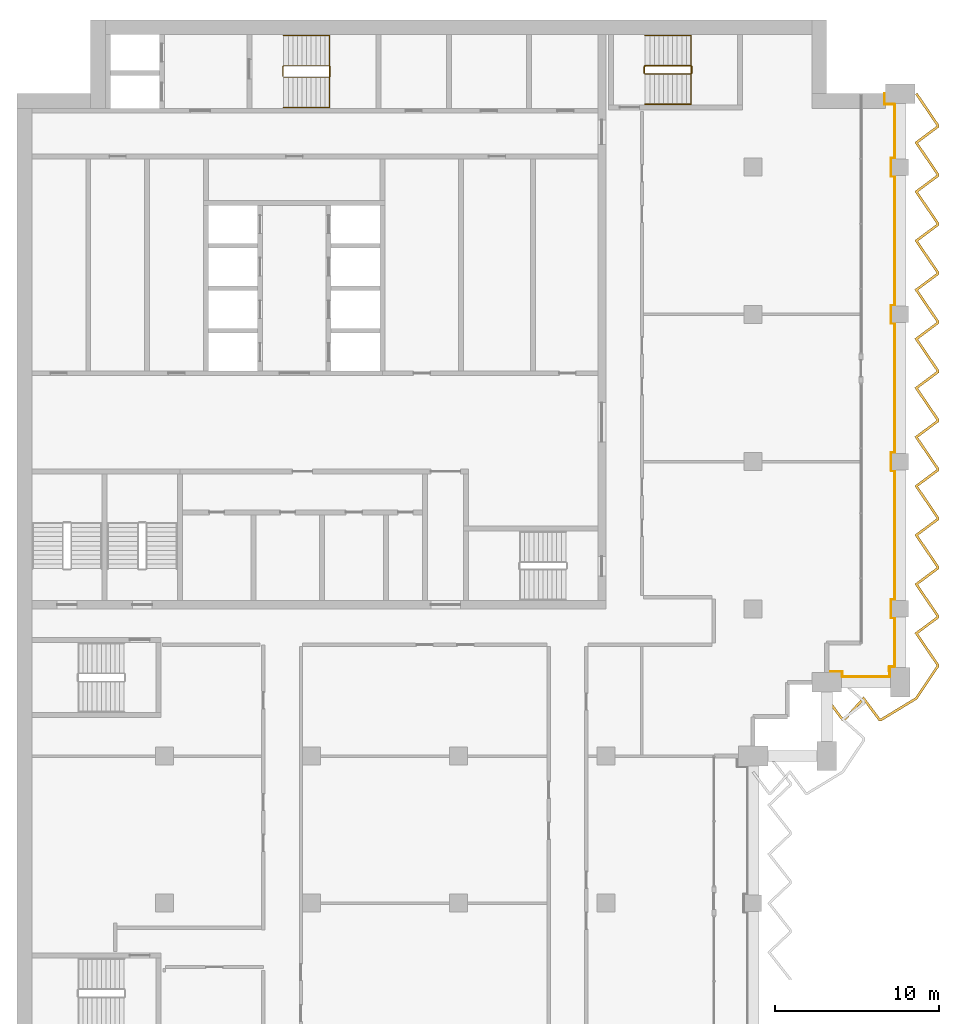
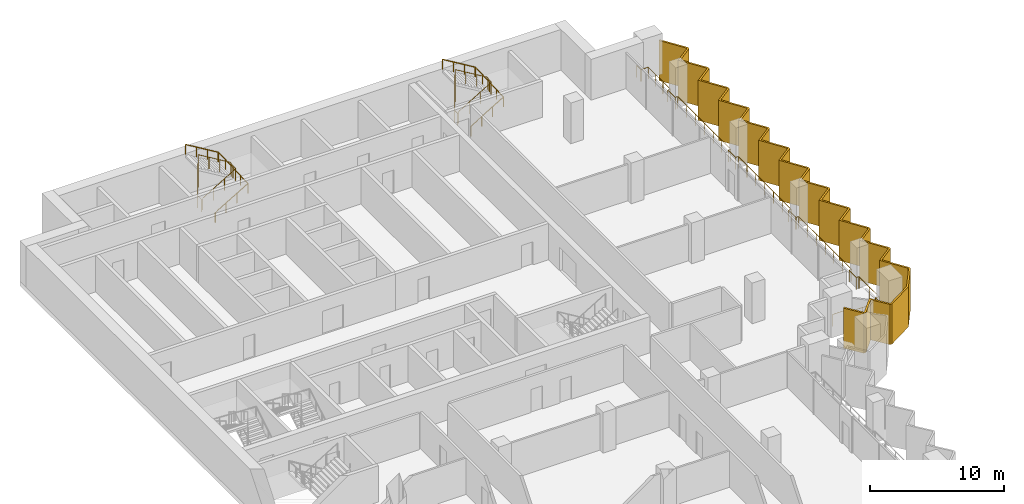
# One storey, part 17 of 17: 5 railings, 1 shading device.
"""IFC4 building model written with IfcOpenShell, lengths in metres."""

from ifc_helpers import new_model, si_unit, direction, frame, origin, origin_2d, place, context, subcontext, project, spatial, polyline, circle, outline, extrude, material, layer, layer_set, type_object, element, save


model = new_model("IFC4")

# Units and contexts
model_context = context("Model", 3, precision=1e-05, world=origin(), true_north=direction((0.0, 1.0)))
body_context = subcontext(model_context, "Body", "Model", "MODEL_VIEW")
ifc_project = project(units=[si_unit("LENGTHUNIT", "METRE"), si_unit("AREAUNIT", "SQUARE_METRE"), si_unit("VOLUMEUNIT", "CUBIC_METRE"), si_unit("PLANEANGLEUNIT", "RADIAN"), si_unit("MASSUNIT", "GRAM", prefix="KILO")], contexts=[model_context])

# Site, building, storey
site_placement = place(None, origin())
site = spatial("IfcSite", under=ifc_project, at=site_placement, CompositionType="ELEMENT")
building_placement = place(site_placement, origin())
building = spatial("IfcBuilding", under=site, at=building_placement, Name="Hunhe Ridgeline Campus", CompositionType="ELEMENT")
storey_placement = place(building_placement, frame((0.0, 0.0, 190.199951171875)))
storey = spatial("IfcBuildingStorey", under=building, at=storey_placement, Name="L48", CompositionType="ELEMENT", Elevation=190.199951171875)

# Railing
ifc_material_1 = material(Name="Steel Q355", Category="steel")
railing_type_1 = type_object("IfcRailingType", Name="Loggia guard 1100 Steel Q355", PredefinedType="GUARDRAIL", material=ifc_material_1)
railing_1_placement = place(storey_placement, frame((49.5, 59.169921875, 0.0)))
element("IfcRailing", 1, at=railing_1_placement, inside=storey, type_object=railing_type_1, Name="Loggia guard 2", PredefinedType="GUARDRAIL", context=body_context, shape_type="SweptSolid", body=[
    extrude(circle(Radius=0.02392578125, at=origin_2d()), frame((0.0, 0.0, 1.076171875), z_axis=(1.0, 0.0, 0.0), x_axis=(0.0, 1.0, 0.0)), (0.0, 0.0, 1.0), 0.949951171875),
    extrude(circle(Radius=0.02392578125, at=origin_2d()), frame((0.949951171875, 0.0, 1.076171875), z_axis=(0.0, -1.0, 0.0), x_axis=(1.0, 0.0, 0.0)), (0.0, 0.0, 1.0), 0.31982421875),
    extrude(circle(Radius=0.02392578125, at=origin_2d()), frame((0.949951171875, -0.31982421875, 1.076171875), z_axis=(1.0, 0.0, 0.0), x_axis=(0.0, 1.0, 0.0)), (0.0, 0.0, 1.0), 2.900146484375),
    extrude(circle(Radius=0.02392578125, at=origin_2d()), frame((3.85009765625, -0.31982421875, 1.076171875), z_axis=(0.0, 1.0, 0.0), x_axis=(-1.0, 0.0, 0.0)), (0.0, 0.0, 1.0), 0.619873046875),
    extrude(circle(Radius=0.02392578125, at=origin_2d()), frame((3.85009765625, 0.300048828125, 1.076171875), z_axis=(-0.066572895244, -0.99778156408, 0.0), x_axis=(0.99778156408, -0.066572895244, 0.0)), (0.0, 0.0, 1.0), 0.30078125),
    extrude(circle(Radius=0.02392578125, at=origin_2d()), frame((3.830078125, 0.0, 1.076171875), z_axis=(0.0, 1.0, 0.0), x_axis=(-1.0, 0.0, 0.0)), (0.0, 0.0, 1.0), 0.280029296875),
    extrude(circle(Radius=0.02392578125, at=origin_2d()), frame((3.830078125, 0.280029296875, 1.076171875), z_axis=(1.0, 0.0, 0.0), x_axis=(0.0, 1.0, 0.0)), (0.0, 0.0, 1.0), 0.31982421875),
    extrude(circle(Radius=0.02392578125, at=origin_2d()), frame((4.14990234375, 0.280029296875, 1.076171875), z_axis=(0.0, 1.0, 0.0), x_axis=(-1.0, 0.0, 0.0)), (0.0, 0.0, 1.0), 3.0),
    extrude(circle(Radius=0.02392578125, at=origin_2d()), frame((4.14990234375, 3.280029296875, 1.076171875), z_axis=(-1.0, 0.0, 0.0), x_axis=(0.0, -1.0, 0.0)), (0.0, 0.0, 1.0), 0.219970703125),
    extrude(circle(Radius=0.02392578125, at=origin_2d()), frame((3.929931640625, 3.280029296875, 1.076171875), z_axis=(0.0, 1.0, 0.0), x_axis=(-1.0, 0.0, 0.0)), (0.0, 0.0, 1.0), 1.10009765625),
    extrude(circle(Radius=0.02392578125, at=origin_2d()), frame((3.929931640625, 4.380126953125, 1.076171875), z_axis=(1.0, 0.0, 0.0), x_axis=(0.0, 1.0, 0.0)), (0.0, 0.0, 1.0), 0.219970703125),
    extrude(circle(Radius=0.02392578125, at=origin_2d()), frame((4.14990234375, 4.380126953125, 1.076171875), z_axis=(0.0, 1.0, 0.0), x_axis=(-1.0, 0.0, 0.0)), (0.0, 0.0, 1.0), 7.89990234375),
    extrude(circle(Radius=0.02392578125, at=origin_2d()), frame((4.14990234375, 12.280029296875, 1.076171875), z_axis=(-1.0, 0.0, 0.0), x_axis=(0.0, -1.0, 0.0)), (0.0, 0.0, 1.0), 0.219970703125),
    extrude(circle(Radius=0.02392578125, at=origin_2d()), frame((3.929931640625, 12.280029296875, 1.076171875), z_axis=(0.0, 1.0, 0.0), x_axis=(-1.0, 0.0, 0.0)), (0.0, 0.0, 1.0), 1.10009765625),
    extrude(circle(Radius=0.02392578125, at=origin_2d()), frame((3.929931640625, 13.380126953125, 1.076171875), z_axis=(1.0, 0.0, 0.0), x_axis=(0.0, 1.0, 0.0)), (0.0, 0.0, 1.0), 0.219970703125),
    extrude(circle(Radius=0.02392578125, at=origin_2d()), frame((4.14990234375, 13.380126953125, 1.076171875), z_axis=(0.0, 1.0, 0.0), x_axis=(-1.0, 0.0, 0.0)), (0.0, 0.0, 1.0), 7.89990234375),
    extrude(circle(Radius=0.02392578125, at=origin_2d()), frame((4.14990234375, 21.280029296875, 1.076171875), z_axis=(-1.0, 0.0, 0.0), x_axis=(0.0, -1.0, 0.0)), (0.0, 0.0, 1.0), 0.219970703125),
    extrude(circle(Radius=0.02392578125, at=origin_2d()), frame((3.929931640625, 21.280029296875, 1.076171875), z_axis=(0.0, 1.0, 0.0), x_axis=(-1.0, 0.0, 0.0)), (0.0, 0.0, 1.0), 1.10009765625),
    extrude(circle(Radius=0.02392578125, at=origin_2d()), frame((3.929931640625, 22.380126953125, 1.076171875), z_axis=(1.0, 0.0, 0.0), x_axis=(0.0, 1.0, 0.0)), (0.0, 0.0, 1.0), 0.219970703125),
    extrude(circle(Radius=0.02392578125, at=origin_2d()), frame((4.14990234375, 22.380126953125, 1.076171875), z_axis=(0.0, 1.0, 0.0), x_axis=(-1.0, 0.0, 0.0)), (0.0, 0.0, 1.0), 7.89990234375),
    extrude(circle(Radius=0.02392578125, at=origin_2d()), frame((4.14990234375, 30.280029296875, 1.076171875), z_axis=(-1.0, 0.0, 0.0), x_axis=(0.0, -1.0, 0.0)), (0.0, 0.0, 1.0), 0.219970703125),
    extrude(circle(Radius=0.02392578125, at=origin_2d()), frame((3.929931640625, 30.280029296875, 1.076171875), z_axis=(0.0, 1.0, 0.0), x_axis=(-1.0, 0.0, 0.0)), (0.0, 0.0, 1.0), 1.10009765625),
    extrude(circle(Radius=0.02392578125, at=origin_2d()), frame((3.929931640625, 31.380126953125, 1.076171875), z_axis=(1.0, 0.0, 0.0), x_axis=(0.0, 1.0, 0.0)), (0.0, 0.0, 1.0), 0.219970703125),
    extrude(circle(Radius=0.02392578125, at=origin_2d()), frame((4.14990234375, 31.380126953125, 1.076171875), z_axis=(0.0, 1.0, 0.0), x_axis=(-1.0, 0.0, 0.0)), (0.0, 0.0, 1.0), 3.300048828125),
    extrude(circle(Radius=0.02392578125, at=origin_2d()), frame((4.14990234375, 34.68017578125, 1.076171875), z_axis=(-1.0, 0.0, 0.0), x_axis=(0.0, -1.0, 0.0)), (0.0, 0.0, 1.0), 0.619873046875),
    extrude(circle(Radius=0.02392578125, at=origin_2d()), frame((3.530029296875, 34.68017578125, 1.076171875), z_axis=(0.0, 1.0, 0.0), x_axis=(-1.0, 0.0, 0.0)), (0.0, 0.0, 1.0), 0.64990234375),
    extrude(circle(Radius=0.02099609375, at=origin_2d()), origin(), (0.0, 0.0, 1.0), 1.052001953125),
    extrude(circle(Radius=0.02099609375, at=origin_2d()), frame((0.949951171875, 0.0, 0.0)), (0.0, 0.0, 1.0), 1.052001953125),
    extrude(circle(Radius=0.02099609375, at=origin_2d()), frame((0.949951171875, -0.31982421875, 0.0)), (0.0, 0.0, 1.0), 1.052001953125),
    extrude(circle(Radius=0.02099609375, at=origin_2d()), frame((2.39990234375, -0.31982421875, 0.0)), (0.0, 0.0, 1.0), 1.052001953125),
    extrude(circle(Radius=0.02099609375, at=origin_2d()), frame((3.85009765625, -0.31982421875, 0.0)), (0.0, 0.0, 1.0), 1.052001953125),
    extrude(circle(Radius=0.02099609375, at=origin_2d()), frame((3.85009765625, 0.300048828125, 0.0)), (0.0, 0.0, 1.0), 1.052001953125),
    extrude(circle(Radius=0.02099609375, at=origin_2d()), frame((3.830078125, 0.0, 0.0)), (0.0, 0.0, 1.0), 1.052001953125),
    extrude(circle(Radius=0.02099609375, at=origin_2d()), frame((3.830078125, 0.280029296875, 0.0)), (0.0, 0.0, 1.0), 1.052001953125),
    extrude(circle(Radius=0.02099609375, at=origin_2d()), frame((4.14990234375, 0.280029296875, 0.0)), (0.0, 0.0, 1.0), 1.052001953125),
    extrude(circle(Radius=0.02099609375, at=origin_2d()), frame((4.14990234375, 1.780029296875, 0.0)), (0.0, 0.0, 1.0), 1.052001953125),
    extrude(circle(Radius=0.02099609375, at=origin_2d()), frame((4.14990234375, 3.280029296875, 0.0)), (0.0, 0.0, 1.0), 1.052001953125),
    extrude(circle(Radius=0.02099609375, at=origin_2d()), frame((3.929931640625, 3.280029296875, 0.0)), (0.0, 0.0, 1.0), 1.052001953125),
    extrude(circle(Radius=0.02099609375, at=origin_2d()), frame((3.929931640625, 4.380126953125, 0.0)), (0.0, 0.0, 1.0), 1.052001953125),
    extrude(circle(Radius=0.02099609375, at=origin_2d()), frame((4.14990234375, 4.380126953125, 0.0)), (0.0, 0.0, 1.0), 1.052001953125),
    extrude(circle(Radius=0.02099609375, at=origin_2d()), frame((4.14990234375, 5.69677734375, 0.0)), (0.0, 0.0, 1.0), 1.052001953125),
    extrude(circle(Radius=0.02099609375, at=origin_2d()), frame((4.14990234375, 7.013427734375, 0.0)), (0.0, 0.0, 1.0), 1.052001953125),
    extrude(circle(Radius=0.02099609375, at=origin_2d()), frame((4.14990234375, 8.330078125, 0.0)), (0.0, 0.0, 1.0), 1.052001953125),
    extrude(circle(Radius=0.02099609375, at=origin_2d()), frame((4.14990234375, 9.646728515625, 0.0)), (0.0, 0.0, 1.0), 1.052001953125),
    extrude(circle(Radius=0.02099609375, at=origin_2d()), frame((4.14990234375, 10.96337890625, 0.0)), (0.0, 0.0, 1.0), 1.052001953125),
    extrude(circle(Radius=0.02099609375, at=origin_2d()), frame((4.14990234375, 12.280029296875, 0.0)), (0.0, 0.0, 1.0), 1.052001953125),
    extrude(circle(Radius=0.02099609375, at=origin_2d()), frame((3.929931640625, 12.280029296875, 0.0)), (0.0, 0.0, 1.0), 1.052001953125),
    extrude(circle(Radius=0.02099609375, at=origin_2d()), frame((3.929931640625, 13.380126953125, 0.0)), (0.0, 0.0, 1.0), 1.052001953125),
    extrude(circle(Radius=0.02099609375, at=origin_2d()), frame((4.14990234375, 13.380126953125, 0.0)), (0.0, 0.0, 1.0), 1.052001953125),
    extrude(circle(Radius=0.02099609375, at=origin_2d()), frame((4.14990234375, 14.69677734375, 0.0)), (0.0, 0.0, 1.0), 1.052001953125),
    extrude(circle(Radius=0.02099609375, at=origin_2d()), frame((4.14990234375, 16.013427734375, 0.0)), (0.0, 0.0, 1.0), 1.052001953125),
    extrude(circle(Radius=0.02099609375, at=origin_2d()), frame((4.14990234375, 17.330078125, 0.0)), (0.0, 0.0, 1.0), 1.052001953125),
    extrude(circle(Radius=0.02099609375, at=origin_2d()), frame((4.14990234375, 18.646728515625, 0.0)), (0.0, 0.0, 1.0), 1.052001953125),
    extrude(circle(Radius=0.02099609375, at=origin_2d()), frame((4.14990234375, 19.96337890625, 0.0)), (0.0, 0.0, 1.0), 1.052001953125),
    extrude(circle(Radius=0.02099609375, at=origin_2d()), frame((4.14990234375, 21.280029296875, 0.0)), (0.0, 0.0, 1.0), 1.052001953125),
    extrude(circle(Radius=0.02099609375, at=origin_2d()), frame((3.929931640625, 21.280029296875, 0.0)), (0.0, 0.0, 1.0), 1.052001953125),
    extrude(circle(Radius=0.02099609375, at=origin_2d()), frame((3.929931640625, 22.380126953125, 0.0)), (0.0, 0.0, 1.0), 1.052001953125),
    extrude(circle(Radius=0.02099609375, at=origin_2d()), frame((4.14990234375, 22.380126953125, 0.0)), (0.0, 0.0, 1.0), 1.052001953125),
    extrude(circle(Radius=0.02099609375, at=origin_2d()), frame((4.14990234375, 23.69677734375, 0.0)), (0.0, 0.0, 1.0), 1.052001953125),
    extrude(circle(Radius=0.02099609375, at=origin_2d()), frame((4.14990234375, 25.013427734375, 0.0)), (0.0, 0.0, 1.0), 1.052001953125),
    extrude(circle(Radius=0.02099609375, at=origin_2d()), frame((4.14990234375, 26.330078125, 0.0)), (0.0, 0.0, 1.0), 1.052001953125),
    extrude(circle(Radius=0.02099609375, at=origin_2d()), frame((4.14990234375, 27.646728515625, 0.0)), (0.0, 0.0, 1.0), 1.052001953125),
    extrude(circle(Radius=0.02099609375, at=origin_2d()), frame((4.14990234375, 28.96337890625, 0.0)), (0.0, 0.0, 1.0), 1.052001953125),
    extrude(circle(Radius=0.02099609375, at=origin_2d()), frame((4.14990234375, 30.280029296875, 0.0)), (0.0, 0.0, 1.0), 1.052001953125),
    extrude(circle(Radius=0.02099609375, at=origin_2d()), frame((3.929931640625, 30.280029296875, 0.0)), (0.0, 0.0, 1.0), 1.052001953125),
    extrude(circle(Radius=0.02099609375, at=origin_2d()), frame((3.929931640625, 31.380126953125, 0.0)), (0.0, 0.0, 1.0), 1.052001953125),
    extrude(circle(Radius=0.02099609375, at=origin_2d()), frame((4.14990234375, 31.380126953125, 0.0)), (0.0, 0.0, 1.0), 1.052001953125),
    extrude(circle(Radius=0.02099609375, at=origin_2d()), frame((4.14990234375, 32.480224609375, 0.0)), (0.0, 0.0, 1.0), 1.052001953125),
    extrude(circle(Radius=0.02099609375, at=origin_2d()), frame((4.14990234375, 33.580078125, 0.0)), (0.0, 0.0, 1.0), 1.052001953125),
    extrude(circle(Radius=0.02099609375, at=origin_2d()), frame((4.14990234375, 34.68017578125, 0.0)), (0.0, 0.0, 1.0), 1.052001953125),
    extrude(circle(Radius=0.02099609375, at=origin_2d()), frame((3.530029296875, 34.68017578125, 0.0)), (0.0, 0.0, 1.0), 1.052001953125),
    extrude(circle(Radius=0.02099609375, at=origin_2d()), frame((3.530029296875, 35.330078125, 0.0)), (0.0, 0.0, 1.0), 1.052001953125),
])

# Shading device
ifc_material_2 = material(Name="Concrete C50", Category="concrete")
ifc_layer = layer(ifc_material_2, 0.14990234375)
ifc_layer_set = layer_set([ifc_layer], Name="Sawtooth concrete fin 150 Concrete C50")
shading_device_type = type_object("IfcShadingDeviceType", Name="Sawtooth concrete fin 150 Concrete C50", PredefinedType="USERDEFINED", material=ifc_layer_set)
shading_device_placement = place(storey_placement, frame((0.0, 0.0, -0.949951171875)))
element("IfcShadingDevice", 2, at=shading_device_placement, inside=storey, type_object=shading_device_type, Name="Concrete fin screen 3", ObjectType="FIN", PredefinedType="USERDEFINED", context=body_context, shape_type="SweptSolid", body=[
    extrude(outline(polyline([(49.56005859375, 57.56982421875), (49.43994140625, 57.480224609375), (50.430419921875, 56.14990234375), (50.62158203125, 56.14990234375), (51.74462890625, 57.406494140625), (52.680419921875, 56.14990234375), (52.859130859375, 56.14990234375), (55.028076171875, 57.469482421875), (56.35009765625, 59.4453125), (56.35009765625, 59.611083984375), (55.077392578125, 61.482666015625), (56.35009765625, 62.430419921875), (56.35009765625, 62.611083984375), (55.077392578125, 64.482666015625), (56.35009765625, 65.430419921875), (56.35009765625, 65.611083984375), (55.077392578125, 67.482666015625), (56.35009765625, 68.430419921875), (56.35009765625, 68.611083984375), (55.077392578125, 70.482666015625), (56.35009765625, 71.430419921875), (56.35009765625, 71.611083984375), (55.077392578125, 73.482666015625), (56.35009765625, 74.430419921875), (56.35009765625, 74.611083984375), (55.077392578125, 76.482666015625), (56.35009765625, 77.430419921875), (56.35009765625, 77.611083984375), (55.077392578125, 79.482666015625), (56.35009765625, 80.430419921875), (56.35009765625, 80.611083984375), (55.077392578125, 82.482666015625), (56.35009765625, 83.430419921875), (56.35009765625, 83.611083984375), (55.077392578125, 85.482666015625), (56.35009765625, 86.430419921875), (56.35009765625, 86.611083984375), (55.077392578125, 88.482666015625), (56.35009765625, 89.430419921875), (56.35009765625, 89.611083984375), (55.077392578125, 91.482666015625), (56.35009765625, 92.430419921875), (56.35009765625, 92.611083984375), (55.037109375, 94.542236328125), (54.9130859375, 94.457763671875), (56.199951171875, 92.56494140625), (56.199951171875, 92.505859375), (54.87255859375, 91.517333984375), (56.199951171875, 89.56494140625), (56.199951171875, 89.505859375), (54.87255859375, 88.517333984375), (56.199951171875, 86.56494140625), (56.199951171875, 86.505859375), (54.87255859375, 85.517333984375), (56.199951171875, 83.56494140625), (56.199951171875, 83.505859375), (54.87255859375, 82.517333984375), (56.199951171875, 80.56494140625), (56.199951171875, 80.505859375), (54.87255859375, 79.517333984375), (56.199951171875, 77.56494140625), (56.199951171875, 77.505859375), (54.87255859375, 76.517333984375), (56.199951171875, 74.56494140625), (56.199951171875, 74.505859375), (54.87255859375, 73.517333984375), (56.199951171875, 71.56494140625), (56.199951171875, 71.505859375), (54.87255859375, 70.517333984375), (56.199951171875, 68.56494140625), (56.199951171875, 68.505859375), (54.87255859375, 67.517333984375), (56.199951171875, 65.56494140625), (56.199951171875, 65.505859375), (54.87255859375, 64.517333984375), (56.199951171875, 62.56494140625), (56.199951171875, 62.505859375), (54.87255859375, 61.517333984375), (56.199951171875, 59.56494140625), (56.199951171875, 59.490966796875), (54.921875, 57.58056640625), (52.817138671875, 56.300048828125), (52.755859375, 56.300048828125), (51.75537109375, 57.6435546875), (50.554443359375, 56.300048828125), (50.505859375, 56.300048828125), (49.56005859375, 57.56982421875)])), origin(), (0.0, 0.0, 1.0), 3.64990234375),
])

# Railings
ifc_material_3 = material(Name="Stainless steel balustrade", Category="steel")
railing_type_2 = type_object("IfcRailingType", Name="Stair guard 1100 stainless", PredefinedType="GUARDRAIL", material=ifc_material_3)
railing_2_placement = place(storey_placement, frame((16.300048828125, 95.5, 0.168212890625)))
element("IfcRailing", 3, at=railing_2_placement, inside=storey, type_object=railing_type_2, Name="L48 stair S1 guard", PredefinedType="GUARDRAIL", context=body_context, shape_type="SweptSolid", body=[
    extrude(circle(Radius=0.02392578125, at=origin_2d()), frame((0.0, 0.0, 1.076171875), z_axis=(0.857242210791, 0.0, 0.514913383045), x_axis=(0.0, 1.0, 0.0)), (0.0, 0.0, 1.0), 3.266357421875),
    extrude(circle(Radius=0.02392578125, at=origin_2d()), frame((2.800048828125, 0.0, 2.7578125), z_axis=(0.705375805398, 0.708833529934, 0.0), x_axis=(-0.708833529934, 0.705375805398, 0.0)), (0.0, 0.0, 1.0), 0.070556640625),
    extrude(circle(Radius=0.02392578125, at=origin_2d()), frame((2.849853515625, 0.050048828125, 2.7578125), z_axis=(0.0, 1.0, 0.0), x_axis=(-1.0, 0.0, 0.0)), (0.0, 0.0, 1.0), 0.599853515625),
    extrude(circle(Radius=0.02392578125, at=origin_2d()), frame((2.849853515625, 0.64990234375, 2.7578125), z_axis=(-0.273006030465, 0.27434429532, 0.922064485248), x_axis=(-0.708833529934, -0.705375805398, 0.0)), (0.0, 0.0, 1.0), 0.182373046875),
    extrude(circle(Radius=0.02392578125, at=origin_2d()), frame((2.800048828125, 0.699951171875, 2.92626953125), z_axis=(-0.857275202839, 0.0, 0.514858452973), x_axis=(0.0, -1.0, 0.0)), (0.0, 0.0, 1.0), 3.26611328125),
    extrude(circle(Radius=0.02392578125, at=origin_2d()), frame((0.0, 0.699951171875, 4.60791015625), z_axis=(-0.013524414389, -0.013524414389, -0.999817073484), x_axis=(0.707106781187, -0.707106781187, 0.0)), (0.0, 0.0, 1.0), 3.70068359375),
    extrude(circle(Radius=0.02392578125, at=origin_2d()), frame((-0.050048828125, 0.64990234375, 0.90771484375), z_axis=(0.0, -1.0, 0.0), x_axis=(1.0, 0.0, 0.0)), (0.0, 0.0, 1.0), 0.599853515625),
    extrude(circle(Radius=0.02099609375, at=origin_2d()), origin(), (0.0, 0.0, 1.0), 1.052001953125),
    extrude(circle(Radius=0.02099609375, at=origin_2d()), frame((0.933349609375, 0.0, 0.560546875)), (0.0, 0.0, 1.0), 1.052001953125),
    extrude(circle(Radius=0.02099609375, at=origin_2d()), frame((1.86669921875, 0.0, 1.121337890625)), (0.0, 0.0, 1.0), 1.052001953125),
    extrude(circle(Radius=0.02099609375, at=origin_2d()), frame((2.800048828125, 0.0, 1.681884765625)), (0.0, 0.0, 1.0), 1.052001953125),
    extrude(circle(Radius=0.02099609375, at=origin_2d()), frame((2.849853515625, 0.050048828125, 1.681884765625)), (0.0, 0.0, 1.0), 1.052001953125),
    extrude(circle(Radius=0.02099609375, at=origin_2d()), frame((2.849853515625, 0.64990234375, 1.681884765625)), (0.0, 0.0, 1.0), 1.052001953125),
    extrude(circle(Radius=0.02099609375, at=origin_2d()), frame((2.800048828125, 0.699951171875, 1.85009765625)), (0.0, 0.0, 1.0), 1.052001953125),
    extrude(circle(Radius=0.02099609375, at=origin_2d()), frame((1.86669921875, 0.699951171875, 2.41064453125)), (0.0, 0.0, 1.0), 1.052001953125),
    extrude(circle(Radius=0.02099609375, at=origin_2d()), frame((0.933349609375, 0.699951171875, 2.97119140625)), (0.0, 0.0, 1.0), 1.052001953125),
    extrude(circle(Radius=0.02099609375, at=origin_2d()), frame((0.0, 0.699951171875, 3.53173828125)), (0.0, 0.0, 1.0), 1.052001953125),
    extrude(circle(Radius=0.02099609375, at=origin_2d()), frame((-0.012451171875, 0.6875, 2.606689453125)), (0.0, 0.0, 1.0), 1.052001953125),
    extrude(circle(Radius=0.02099609375, at=origin_2d()), frame((-0.02490234375, 0.6748046875, 1.681640625)), (0.0, 0.0, 1.0), 1.052001953125),
    extrude(circle(Radius=0.02099609375, at=origin_2d()), frame((-0.03759765625, 0.662353515625, 0.7568359375)), (0.0, 0.0, 1.0), 1.052001953125),
    extrude(circle(Radius=0.02099609375, at=origin_2d()), frame((-0.050048828125, 0.64990234375, -0.168212890625)), (0.0, 0.0, 1.0), 1.052001953125),
    extrude(circle(Radius=0.02099609375, at=origin_2d()), frame((-0.050048828125, 0.050048828125, -0.168212890625)), (0.0, 0.0, 1.0), 1.052001953125),
])
railing_3_placement = place(storey_placement, frame((38.39990234375, 95.699951171875, 0.168212890625)))
element("IfcRailing", 4, at=railing_3_placement, inside=storey, type_object=railing_type_2, Name="L48 stair E1 guard", PredefinedType="GUARDRAIL", context=body_context, shape_type="SweptSolid", body=[
    extrude(circle(Radius=0.02392578125, at=origin_2d()), frame((0.0, 0.0, 1.076171875), z_axis=(0.857242210791, 0.0, 0.514913383045), x_axis=(0.0, 1.0, 0.0)), (0.0, 0.0, 1.0), 3.266357421875),
    extrude(circle(Radius=0.02392578125, at=origin_2d()), frame((2.800048828125, 0.0, 2.7578125), z_axis=(0.707106781187, 0.707106781187, 0.0), x_axis=(-0.707106781187, 0.707106781187, 0.0)), (0.0, 0.0, 1.0), 0.07080078125),
    extrude(circle(Radius=0.02392578125, at=origin_2d()), frame((2.85009765625, 0.050048828125, 2.7578125), z_axis=(0.0, 1.0, 0.0), x_axis=(-1.0, 0.0, 0.0)), (0.0, 0.0, 1.0), 0.39990234375),
    extrude(circle(Radius=0.02392578125, at=origin_2d()), frame((2.85009765625, 0.449951171875, 2.7578125), z_axis=(-0.274243871929, 0.274243871929, 0.92172696468), x_axis=(-0.707106781187, -0.707106781187, 0.0)), (0.0, 0.0, 1.0), 0.1826171875),
    extrude(circle(Radius=0.02392578125, at=origin_2d()), frame((2.800048828125, 0.5, 2.92626953125), z_axis=(-0.857275202839, 0.0, 0.514858452973), x_axis=(0.0, -1.0, 0.0)), (0.0, 0.0, 1.0), 3.26611328125),
    extrude(circle(Radius=0.02392578125, at=origin_2d()), frame((0.0, 0.5, 4.60791015625), z_axis=(-0.013458453615, -0.013524426427, -0.999817963389), x_axis=(0.708833529934, -0.705375805398, 0.0)), (0.0, 0.0, 1.0), 3.70068359375),
    extrude(circle(Radius=0.02392578125, at=origin_2d()), frame((-0.0498046875, 0.449951171875, 0.90771484375), z_axis=(0.0, -1.0, 0.0), x_axis=(1.0, 0.0, 0.0)), (0.0, 0.0, 1.0), 0.39990234375),
    extrude(circle(Radius=0.02099609375, at=origin_2d()), origin(), (0.0, 0.0, 1.0), 1.052001953125),
    extrude(circle(Radius=0.02099609375, at=origin_2d()), frame((0.933349609375, 0.0, 0.560546875)), (0.0, 0.0, 1.0), 1.052001953125),
    extrude(circle(Radius=0.02099609375, at=origin_2d()), frame((1.86669921875, 0.0, 1.121337890625)), (0.0, 0.0, 1.0), 1.052001953125),
    extrude(circle(Radius=0.02099609375, at=origin_2d()), frame((2.800048828125, 0.0, 1.681884765625)), (0.0, 0.0, 1.0), 1.052001953125),
    extrude(circle(Radius=0.02099609375, at=origin_2d()), frame((2.85009765625, 0.050048828125, 1.681884765625)), (0.0, 0.0, 1.0), 1.052001953125),
    extrude(circle(Radius=0.02099609375, at=origin_2d()), frame((2.85009765625, 0.449951171875, 1.681884765625)), (0.0, 0.0, 1.0), 1.052001953125),
    extrude(circle(Radius=0.02099609375, at=origin_2d()), frame((2.800048828125, 0.5, 1.85009765625)), (0.0, 0.0, 1.0), 1.052001953125),
    extrude(circle(Radius=0.02099609375, at=origin_2d()), frame((1.86669921875, 0.5, 2.41064453125)), (0.0, 0.0, 1.0), 1.052001953125),
    extrude(circle(Radius=0.02099609375, at=origin_2d()), frame((0.933349609375, 0.5, 2.97119140625)), (0.0, 0.0, 1.0), 1.052001953125),
    extrude(circle(Radius=0.02099609375, at=origin_2d()), frame((0.0, 0.5, 3.53173828125)), (0.0, 0.0, 1.0), 1.052001953125),
    extrude(circle(Radius=0.02099609375, at=origin_2d()), frame((-0.012451171875, 0.487548828125, 2.606689453125)), (0.0, 0.0, 1.0), 1.052001953125),
    extrude(circle(Radius=0.02099609375, at=origin_2d()), frame((-0.02490234375, 0.47509765625, 1.681640625)), (0.0, 0.0, 1.0), 1.052001953125),
    extrude(circle(Radius=0.02099609375, at=origin_2d()), frame((-0.037353515625, 0.46240234375, 0.7568359375)), (0.0, 0.0, 1.0), 1.052001953125),
    extrude(circle(Radius=0.02099609375, at=origin_2d()), frame((-0.0498046875, 0.449951171875, -0.168212890625)), (0.0, 0.0, 1.0), 1.052001953125),
    extrude(circle(Radius=0.02099609375, at=origin_2d()), frame((-0.0498046875, 0.050048828125, -0.168212890625)), (0.0, 0.0, 1.0), 1.052001953125),
])
ifc_material_4 = material(Name="Stainless steel handrail", Category="steel")
railing_type_3 = type_object("IfcRailingType", Name="Stair handrail 900 stainless", PredefinedType="HANDRAIL", material=ifc_material_4)
railing_4_placement = place(storey_placement, frame((16.300048828125, 93.64990234375, 0.168212890625)))
element("IfcRailing", 5, at=railing_4_placement, inside=storey, type_object=railing_type_3, Name="L48 stair S1 handrail", PredefinedType="HANDRAIL", context=body_context, shape_type="SweptSolid", body=[
    extrude(circle(Radius=0.02392578125, at=origin_2d()), frame((0.0, 0.0, 0.8759765625), z_axis=(0.857242210791, 0.0, 0.514913383045), x_axis=(0.0, 1.0, 0.0)), (0.0, 0.0, 1.0), 3.266357421875),
    extrude(circle(Radius=0.02392578125, at=origin_2d()), frame((2.800048828125, 0.0, 2.5576171875), z_axis=(0.0, 0.999270074432, 0.038201025428), x_axis=(-1.0, 0.0, 0.0)), (0.0, 0.0, 1.0), 4.4033203125),
    extrude(circle(Radius=0.02392578125, at=origin_2d()), frame((2.800048828125, 4.400146484375, 2.72607421875), z_axis=(-0.857275202839, 0.0, 0.514858452973), x_axis=(0.0, -1.0, 0.0)), (0.0, 0.0, 1.0), 3.26611328125),
    extrude(circle(Radius=0.02099609375, at=origin_2d()), origin(), (0.0, 0.0, 1.0), 0.851806640625),
    extrude(circle(Radius=0.02099609375, at=origin_2d()), frame((0.933349609375, 0.0, 0.560546875)), (0.0, 0.0, 1.0), 0.851806640625),
    extrude(circle(Radius=0.02099609375, at=origin_2d()), frame((1.86669921875, 0.0, 1.121337890625)), (0.0, 0.0, 1.0), 0.851806640625),
    extrude(circle(Radius=0.02099609375, at=origin_2d()), frame((2.800048828125, 0.0, 1.681884765625)), (0.0, 0.0, 1.0), 0.851806640625),
    extrude(circle(Radius=0.02099609375, at=origin_2d()), frame((2.800048828125, 1.10009765625, 1.723876953125)), (0.0, 0.0, 1.0), 0.851806640625),
    extrude(circle(Radius=0.02099609375, at=origin_2d()), frame((2.800048828125, 2.2001953125, 1.76611328125)), (0.0, 0.0, 1.0), 0.851806640625),
    extrude(circle(Radius=0.02099609375, at=origin_2d()), frame((2.800048828125, 3.300048828125, 1.80810546875)), (0.0, 0.0, 1.0), 0.851806640625),
    extrude(circle(Radius=0.02099609375, at=origin_2d()), frame((2.800048828125, 4.400146484375, 1.85009765625)), (0.0, 0.0, 1.0), 0.851806640625),
    extrude(circle(Radius=0.02099609375, at=origin_2d()), frame((1.86669921875, 4.400146484375, 2.41064453125)), (0.0, 0.0, 1.0), 0.851806640625),
    extrude(circle(Radius=0.02099609375, at=origin_2d()), frame((0.933349609375, 4.400146484375, 2.97119140625)), (0.0, 0.0, 1.0), 0.851806640625),
    extrude(circle(Radius=0.02099609375, at=origin_2d()), frame((0.0, 4.400146484375, 3.53173828125)), (0.0, 0.0, 1.0), 0.851806640625),
])
railing_5_placement = place(storey_placement, frame((38.39990234375, 93.85009765625, 0.168212890625)))
element("IfcRailing", 6, at=railing_5_placement, inside=storey, type_object=railing_type_3, Name="L48 stair E1 handrail", PredefinedType="HANDRAIL", context=body_context, shape_type="SweptSolid", body=[
    extrude(circle(Radius=0.02392578125, at=origin_2d()), frame((0.0, 0.0, 0.8759765625), z_axis=(0.857242210791, 0.0, 0.514913383045), x_axis=(0.0, 1.0, 0.0)), (0.0, 0.0, 1.0), 3.266357421875),
    extrude(circle(Radius=0.02392578125, at=origin_2d()), frame((2.800048828125, 0.0, 2.5576171875), z_axis=(0.0, 0.999198916169, 0.040019069537), x_axis=(-1.0, 0.0, 0.0)), (0.0, 0.0, 1.0), 4.203369140625),
    extrude(circle(Radius=0.02392578125, at=origin_2d()), frame((2.800048828125, 4.199951171875, 2.72607421875), z_axis=(-0.857275202839, 0.0, 0.514858452973), x_axis=(0.0, -1.0, 0.0)), (0.0, 0.0, 1.0), 3.26611328125),
    extrude(circle(Radius=0.02099609375, at=origin_2d()), origin(), (0.0, 0.0, 1.0), 0.851806640625),
    extrude(circle(Radius=0.02099609375, at=origin_2d()), frame((0.933349609375, 0.0, 0.560546875)), (0.0, 0.0, 1.0), 0.851806640625),
    extrude(circle(Radius=0.02099609375, at=origin_2d()), frame((1.86669921875, 0.0, 1.121337890625)), (0.0, 0.0, 1.0), 0.851806640625),
    extrude(circle(Radius=0.02099609375, at=origin_2d()), frame((2.800048828125, 0.0, 1.681884765625)), (0.0, 0.0, 1.0), 0.851806640625),
    extrude(circle(Radius=0.02099609375, at=origin_2d()), frame((2.800048828125, 1.050048828125, 1.723876953125)), (0.0, 0.0, 1.0), 0.851806640625),
    extrude(circle(Radius=0.02099609375, at=origin_2d()), frame((2.800048828125, 2.10009765625, 1.76611328125)), (0.0, 0.0, 1.0), 0.851806640625),
    extrude(circle(Radius=0.02099609375, at=origin_2d()), frame((2.800048828125, 3.14990234375, 1.80810546875)), (0.0, 0.0, 1.0), 0.851806640625),
    extrude(circle(Radius=0.02099609375, at=origin_2d()), frame((2.800048828125, 4.199951171875, 1.85009765625)), (0.0, 0.0, 1.0), 0.851806640625),
    extrude(circle(Radius=0.02099609375, at=origin_2d()), frame((1.86669921875, 4.199951171875, 2.41064453125)), (0.0, 0.0, 1.0), 0.851806640625),
    extrude(circle(Radius=0.02099609375, at=origin_2d()), frame((0.933349609375, 4.199951171875, 2.97119140625)), (0.0, 0.0, 1.0), 0.851806640625),
    extrude(circle(Radius=0.02099609375, at=origin_2d()), frame((0.0, 4.199951171875, 3.53173828125)), (0.0, 0.0, 1.0), 0.851806640625),
])

save(model, "model.ifc")
